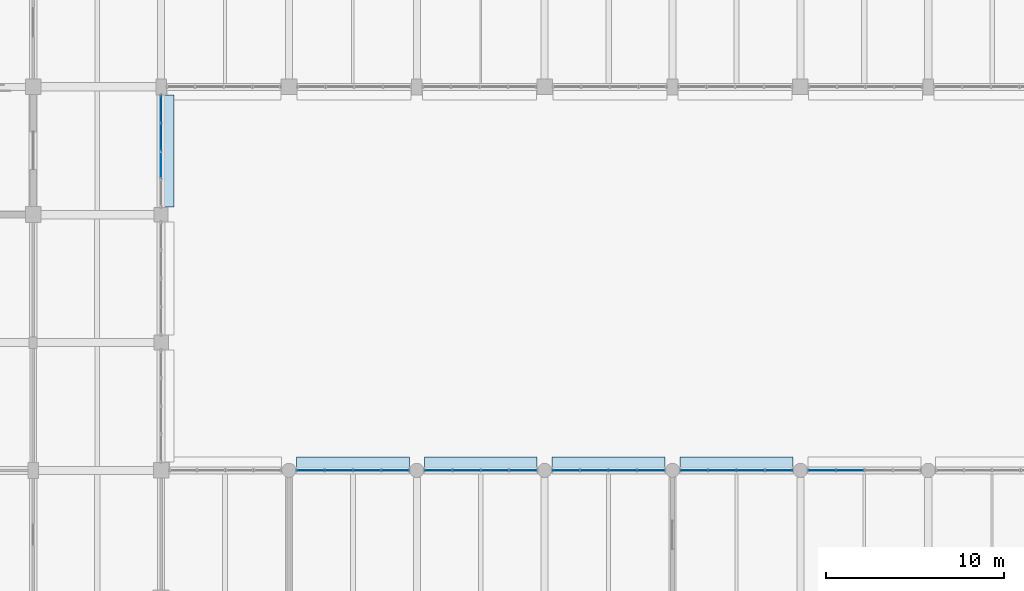
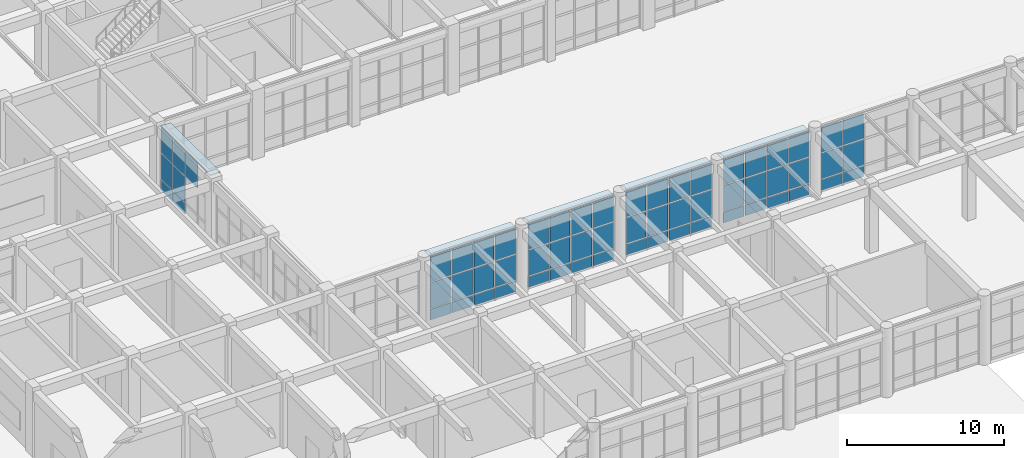
# One storey, part 122 of 160: 66 plates, 6 elements without a shape of their own.
"""IFC4 building model written with IfcOpenShell, lengths in metres."""

from ifc_helpers import new_model, si_unit, direction, frame, origin, origin_2d, place, context, subcontext, project, spatial, rectangle, extrude, material, layer, layer_set, type_object, element, aggregate, save


model = new_model("IFC4")

# Units and contexts
model_context = context("Model", 3, precision=1e-05, world=origin(), true_north=direction((0.0, 1.0)))
body_context = subcontext(model_context, "Body", "Model", "MODEL_VIEW")
ifc_project = project(units=[si_unit("LENGTHUNIT", "METRE"), si_unit("AREAUNIT", "SQUARE_METRE"), si_unit("VOLUMEUNIT", "CUBIC_METRE"), si_unit("PLANEANGLEUNIT", "RADIAN"), si_unit("MASSUNIT", "GRAM", prefix="KILO")], contexts=[model_context])

# Site, building, storey
site_placement = place(None, origin())
site = spatial("IfcSite", under=ifc_project, at=site_placement, CompositionType="ELEMENT")
building_placement = place(site_placement, origin())
building = spatial("IfcBuilding", under=site, at=building_placement, Name="Thalmaran Polytechnic", CompositionType="ELEMENT")
storey_placement = place(building_placement, origin())
storey = spatial("IfcBuildingStorey", under=building, at=storey_placement, Name="L00", CompositionType="ELEMENT", Elevation=0.0)

# Plates
ifc_material_1 = material(Name="Anodised aluminium sun-hood eyebrow", Category="aluminium")
ifc_layer_1 = layer(ifc_material_1, 0.0849609375, Name="Anodised aluminium sun-hood eyebrow")
ifc_layer_set_1 = layer_set([ifc_layer_1], Name="Anodised aluminium sun-hood eyebrow")
plate_type_1 = type_object("IfcPlateType", Name="PT-EB01", PredefinedType="SHEET", material=ifc_layer_set_1)
plate_1_placement = place(storey_placement, frame((21.9599609375, 89.97509765625, 4.987548828125), z_axis=(0.0, 0.0, 1.0), x_axis=(0.0, -1.0, 0.0)))
element("IfcPlate", 1, at=plate_1_placement, inside=storey, type_object=plate_type_1, Name="Streamline Sun-Hood Eyebrow L00-CW023", PredefinedType="SHEET", context=body_context, shape_type="SweptSolid", body=[
    extrude(rectangle(XDim=6.31005859375, YDim=0.760009765625, at=origin_2d()), origin(), (0.0, 0.0, 1.0), 0.0849609375),
])
for number, where, z_axis, x_axis, name in (
    (2, (32.39990234375, 72.360107421875, 4.987548828125), (0.0, 0.0, 1.0), (1.0, 0.0, 0.0), "Streamline Sun-Hood Eyebrow L00-CW027"),
    (3, (39.60009765625, 72.360107421875, 4.987548828125), (0.0, 0.0, 1.0), (1.0, 0.0, 0.0), "Streamline Sun-Hood Eyebrow L00-CW028"),
    (4, (46.800048828125, 72.360107421875, 4.987548828125), (0.0, 0.0, 1.0), (1.0, 0.0, 0.0), "Streamline Sun-Hood Eyebrow L00-CW029"),
    (5, (54.0, 72.360107421875, 4.987548828125), (0.0, 0.0, 1.0), (1.0, 0.0, 0.0), "Streamline Sun-Hood Eyebrow L00-CW030"),
):
    element("IfcPlate", number, at=place(storey_placement, frame(where, z_axis=z_axis, x_axis=x_axis)), inside=storey, type_object=plate_type_1, Name=name, PredefinedType="SHEET", context=body_context, shape_type="SweptSolid", body=[
        extrude(rectangle(XDim=6.360107421875, YDim=0.760009765625, at=origin_2d()), origin(), (0.0, 0.0, 1.0), 0.0849609375),
    ])

# Curtain wall, plates
ifc_material_2 = material(Name="Aluminium 6063-T6", Category="aluminium")
curtain_wall_type_1 = type_object("IfcCurtainWallType", Name="CW-SC01", PredefinedType="USERDEFINED", material=ifc_material_2)
curtain_wall_1_placement = place(storey_placement, origin())
curtain_wall_1 = element("IfcCurtainWall", 6, at=curtain_wall_1_placement, inside=storey, type_object=curtain_wall_type_1, Name="Curtain Wall CW-L00-030", ObjectType="STICK CURTAIN WALL", PredefinedType="USERDEFINED")
ifc_material_3 = material(Name="Solar-control double low-E glass", Category="glass")
ifc_layer_2 = layer(ifc_material_3, 0.035888671875, Name="Solar-control double low-E glass")
ifc_layer_set_2 = layer_set([ifc_layer_2], Name="Solar-control double low-E glass")
plate_type_2 = type_object("IfcPlateType", Name="PT-GL01", PredefinedType="CURTAIN_PANEL", material=ifc_layer_set_2)
plate_2_placement = place(storey_placement, frame((51.60009765625, 72.0, 1.0), z_axis=(0.0, 0.0, 1.0), x_axis=(1.0, 0.0, 0.0)))
plate_2 = element("IfcPlate", 7, at=plate_2_placement, type_object=plate_type_2, Name="CW-L00-030 Vision Panel 1-2", PredefinedType="CURTAIN_PANEL", context=body_context, shape_type="SweptSolid", body=[
    extrude(rectangle(XDim=1.5, YDim=0.035888671875, at=origin_2d()), origin(), (0.0, 0.0, 1.0), 1.985107421875),
])
plate_3_placement = place(storey_placement, frame((51.60009765625, 72.0, 3.06494140625), z_axis=(0.0, 0.0, 1.0), x_axis=(1.0, 0.0, 0.0)))
plate_3 = element("IfcPlate", 8, at=plate_3_placement, type_object=plate_type_2, Name="CW-L00-030 Vision Panel 1-3", PredefinedType="CURTAIN_PANEL", context=body_context, shape_type="SweptSolid", body=[
    extrude(rectangle(XDim=1.5, YDim=0.035888671875, at=origin_2d()), origin(), (0.0, 0.0, 1.0), 1.925048828125),
])
plate_4_placement = place(storey_placement, frame((53.199951171875, 72.0, 1.0), z_axis=(0.0, 0.0, 1.0), x_axis=(1.0, 0.0, 0.0)))
plate_4 = element("IfcPlate", 9, at=plate_4_placement, type_object=plate_type_2, Name="CW-L00-030 Vision Panel 2-2", PredefinedType="CURTAIN_PANEL", context=body_context, shape_type="SweptSolid", body=[
    extrude(rectangle(XDim=1.5, YDim=0.035888671875, at=origin_2d()), origin(), (0.0, 0.0, 1.0), 1.985107421875),
])
plate_5_placement = place(storey_placement, frame((53.199951171875, 72.0, 3.06494140625), z_axis=(0.0, 0.0, 1.0), x_axis=(1.0, 0.0, 0.0)))
plate_5 = element("IfcPlate", 10, at=plate_5_placement, type_object=plate_type_2, Name="CW-L00-030 Vision Panel 2-3", PredefinedType="CURTAIN_PANEL", context=body_context, shape_type="SweptSolid", body=[
    extrude(rectangle(XDim=1.5, YDim=0.035888671875, at=origin_2d()), origin(), (0.0, 0.0, 1.0), 1.925048828125),
])
plate_6_placement = place(storey_placement, frame((54.800048828125, 72.0, 1.0), z_axis=(0.0, 0.0, 1.0), x_axis=(1.0, 0.0, 0.0)))
plate_6 = element("IfcPlate", 11, at=plate_6_placement, type_object=plate_type_2, Name="CW-L00-030 Vision Panel 3-2", PredefinedType="CURTAIN_PANEL", context=body_context, shape_type="SweptSolid", body=[
    extrude(rectangle(XDim=1.5, YDim=0.035888671875, at=origin_2d()), origin(), (0.0, 0.0, 1.0), 1.985107421875),
])
plate_7_placement = place(storey_placement, frame((54.800048828125, 72.0, 3.06494140625), z_axis=(0.0, 0.0, 1.0), x_axis=(1.0, 0.0, 0.0)))
plate_7 = element("IfcPlate", 12, at=plate_7_placement, type_object=plate_type_2, Name="CW-L00-030 Vision Panel 3-3", PredefinedType="CURTAIN_PANEL", context=body_context, shape_type="SweptSolid", body=[
    extrude(rectangle(XDim=1.5, YDim=0.035888671875, at=origin_2d()), origin(), (0.0, 0.0, 1.0), 1.925048828125),
])
plate_8_placement = place(storey_placement, frame((56.39990234375, 72.0, 1.0), z_axis=(0.0, 0.0, 1.0), x_axis=(1.0, 0.0, 0.0)))
plate_8 = element("IfcPlate", 13, at=plate_8_placement, type_object=plate_type_2, Name="CW-L00-030 Vision Panel 4-2", PredefinedType="CURTAIN_PANEL", context=body_context, shape_type="SweptSolid", body=[
    extrude(rectangle(XDim=1.5, YDim=0.035888671875, at=origin_2d()), origin(), (0.0, 0.0, 1.0), 1.985107421875),
])
plate_9_placement = place(storey_placement, frame((56.39990234375, 72.0, 3.06494140625), z_axis=(0.0, 0.0, 1.0), x_axis=(1.0, 0.0, 0.0)))
plate_9 = element("IfcPlate", 14, at=plate_9_placement, type_object=plate_type_2, Name="CW-L00-030 Vision Panel 4-3", PredefinedType="CURTAIN_PANEL", context=body_context, shape_type="SweptSolid", body=[
    extrude(rectangle(XDim=1.5, YDim=0.035888671875, at=origin_2d()), origin(), (0.0, 0.0, 1.0), 1.925048828125),
])

curtain_wall_2_placement = place(storey_placement, origin())
curtain_wall_2 = element("IfcCurtainWall", 15, at=curtain_wall_2_placement, inside=storey, type_object=curtain_wall_type_1, Name="Curtain Wall CW-L00-031", ObjectType="STICK CURTAIN WALL", PredefinedType="USERDEFINED")
ifc_layer_3 = layer(ifc_material_3, 0.035888671875, Name="Solar-control double low-E glass")
ifc_layer_set_3 = layer_set([ifc_layer_3], Name="Solar-control double low-E glass")
plate_type_3 = type_object("IfcPlateType", Name="PT-GL02", PredefinedType="CURTAIN_PANEL", material=ifc_layer_set_3)
plate_10_placement = place(storey_placement, frame((58.800048828125, 72.0, 1.0), z_axis=(0.0, 0.0, 1.0), x_axis=(1.0, 0.0, 0.0)))
plate_10 = element("IfcPlate", 16, at=plate_10_placement, type_object=plate_type_3, Name="CW-L00-031 Vision Panel 1-2", PredefinedType="CURTAIN_PANEL", context=body_context, shape_type="SweptSolid", body=[
    extrude(rectangle(XDim=1.5, YDim=0.035888671875, at=origin_2d()), origin(), (0.0, 0.0, 1.0), 1.985107421875),
])
plate_11_placement = place(storey_placement, frame((58.800048828125, 72.0, 3.06494140625), z_axis=(0.0, 0.0, 1.0), x_axis=(1.0, 0.0, 0.0)))
plate_11 = element("IfcPlate", 17, at=plate_11_placement, type_object=plate_type_3, Name="CW-L00-031 Vision Panel 1-3", PredefinedType="CURTAIN_PANEL", context=body_context, shape_type="SweptSolid", body=[
    extrude(rectangle(XDim=1.5, YDim=0.035888671875, at=origin_2d()), origin(), (0.0, 0.0, 1.0), 1.925048828125),
])
plate_12_placement = place(storey_placement, frame((60.39990234375, 72.0, 1.0), z_axis=(0.0, 0.0, 1.0), x_axis=(1.0, 0.0, 0.0)))
plate_12 = element("IfcPlate", 18, at=plate_12_placement, type_object=plate_type_3, Name="CW-L00-031 Vision Panel 2-2", PredefinedType="CURTAIN_PANEL", context=body_context, shape_type="SweptSolid", body=[
    extrude(rectangle(XDim=1.5, YDim=0.035888671875, at=origin_2d()), origin(), (0.0, 0.0, 1.0), 1.985107421875),
])
plate_13_placement = place(storey_placement, frame((60.39990234375, 72.0, 3.06494140625), z_axis=(0.0, 0.0, 1.0), x_axis=(1.0, 0.0, 0.0)))
plate_13 = element("IfcPlate", 19, at=plate_13_placement, type_object=plate_type_3, Name="CW-L00-031 Vision Panel 2-3", PredefinedType="CURTAIN_PANEL", context=body_context, shape_type="SweptSolid", body=[
    extrude(rectangle(XDim=1.5, YDim=0.035888671875, at=origin_2d()), origin(), (0.0, 0.0, 1.0), 1.925048828125),
])

curtain_wall_3_placement = place(storey_placement, origin())
curtain_wall_3 = element("IfcCurtainWall", 20, at=curtain_wall_3_placement, inside=storey, type_object=curtain_wall_type_1, Name="Curtain Wall CW-L00-027", ObjectType="STICK CURTAIN WALL", PredefinedType="USERDEFINED")
ifc_layer_4 = layer(ifc_material_3, 0.035888671875, Name="Solar-control double low-E glass")
ifc_layer_set_4 = layer_set([ifc_layer_4], Name="Solar-control double low-E glass")
plate_type_4 = type_object("IfcPlateType", Name="PT-GL03", PredefinedType="CURTAIN_PANEL", material=ifc_layer_set_4)
plate_14_placement = place(storey_placement, frame((30.0, 72.0, 1.0), z_axis=(0.0, 0.0, 1.0), x_axis=(1.0, 0.0, 0.0)))
plate_14 = element("IfcPlate", 21, at=plate_14_placement, type_object=plate_type_4, Name="CW-L00-027 Vision Panel 1-2", PredefinedType="CURTAIN_PANEL", context=body_context, shape_type="SweptSolid", body=[
    extrude(rectangle(XDim=1.5, YDim=0.035888671875, at=origin_2d()), origin(), (0.0, 0.0, 1.0), 1.985107421875),
])
plate_15_placement = place(storey_placement, frame((30.0, 72.0, 3.06494140625), z_axis=(0.0, 0.0, 1.0), x_axis=(1.0, 0.0, 0.0)))
plate_15 = element("IfcPlate", 22, at=plate_15_placement, type_object=plate_type_4, Name="CW-L00-027 Vision Panel 1-3", PredefinedType="CURTAIN_PANEL", context=body_context, shape_type="SweptSolid", body=[
    extrude(rectangle(XDim=1.5, YDim=0.035888671875, at=origin_2d()), origin(), (0.0, 0.0, 1.0), 1.925048828125),
])
plate_16_placement = place(storey_placement, frame((31.60009765625, 72.0, 1.0), z_axis=(0.0, 0.0, 1.0), x_axis=(1.0, 0.0, 0.0)))
plate_16 = element("IfcPlate", 23, at=plate_16_placement, type_object=plate_type_4, Name="CW-L00-027 Vision Panel 2-2", PredefinedType="CURTAIN_PANEL", context=body_context, shape_type="SweptSolid", body=[
    extrude(rectangle(XDim=1.5, YDim=0.035888671875, at=origin_2d()), origin(), (0.0, 0.0, 1.0), 1.985107421875),
])
plate_17_placement = place(storey_placement, frame((31.60009765625, 72.0, 3.06494140625), z_axis=(0.0, 0.0, 1.0), x_axis=(1.0, 0.0, 0.0)))
plate_17 = element("IfcPlate", 24, at=plate_17_placement, type_object=plate_type_4, Name="CW-L00-027 Vision Panel 2-3", PredefinedType="CURTAIN_PANEL", context=body_context, shape_type="SweptSolid", body=[
    extrude(rectangle(XDim=1.5, YDim=0.035888671875, at=origin_2d()), origin(), (0.0, 0.0, 1.0), 1.925048828125),
])
plate_18_placement = place(storey_placement, frame((33.199951171875, 72.0, 1.0), z_axis=(0.0, 0.0, 1.0), x_axis=(1.0, 0.0, 0.0)))
plate_18 = element("IfcPlate", 25, at=plate_18_placement, type_object=plate_type_4, Name="CW-L00-027 Vision Panel 3-2", PredefinedType="CURTAIN_PANEL", context=body_context, shape_type="SweptSolid", body=[
    extrude(rectangle(XDim=1.5, YDim=0.035888671875, at=origin_2d()), origin(), (0.0, 0.0, 1.0), 1.985107421875),
])
plate_19_placement = place(storey_placement, frame((33.199951171875, 72.0, 3.06494140625), z_axis=(0.0, 0.0, 1.0), x_axis=(1.0, 0.0, 0.0)))
plate_19 = element("IfcPlate", 26, at=plate_19_placement, type_object=plate_type_4, Name="CW-L00-027 Vision Panel 3-3", PredefinedType="CURTAIN_PANEL", context=body_context, shape_type="SweptSolid", body=[
    extrude(rectangle(XDim=1.5, YDim=0.035888671875, at=origin_2d()), origin(), (0.0, 0.0, 1.0), 1.925048828125),
])
plate_20_placement = place(storey_placement, frame((34.800048828125, 72.0, 1.0), z_axis=(0.0, 0.0, 1.0), x_axis=(1.0, 0.0, 0.0)))
plate_20 = element("IfcPlate", 27, at=plate_20_placement, type_object=plate_type_4, Name="CW-L00-027 Vision Panel 4-2", PredefinedType="CURTAIN_PANEL", context=body_context, shape_type="SweptSolid", body=[
    extrude(rectangle(XDim=1.5, YDim=0.035888671875, at=origin_2d()), origin(), (0.0, 0.0, 1.0), 1.985107421875),
])
plate_21_placement = place(storey_placement, frame((34.800048828125, 72.0, 3.06494140625), z_axis=(0.0, 0.0, 1.0), x_axis=(1.0, 0.0, 0.0)))
plate_21 = element("IfcPlate", 28, at=plate_21_placement, type_object=plate_type_4, Name="CW-L00-027 Vision Panel 4-3", PredefinedType="CURTAIN_PANEL", context=body_context, shape_type="SweptSolid", body=[
    extrude(rectangle(XDim=1.5, YDim=0.035888671875, at=origin_2d()), origin(), (0.0, 0.0, 1.0), 1.925048828125),
])

curtain_wall_type_2 = type_object("IfcCurtainWallType", Name="CW-UC01", PredefinedType="USERDEFINED", material=ifc_material_2)
curtain_wall_4_placement = place(storey_placement, origin())
curtain_wall_4 = element("IfcCurtainWall", 29, at=curtain_wall_4_placement, inside=storey, type_object=curtain_wall_type_2, Name="Curtain Wall CW-L00-023", ObjectType="UNITISED CURTAIN WALL", PredefinedType="USERDEFINED")
ifc_layer_5 = layer(ifc_material_3, 0.035888671875, Name="Solar-control double low-E glass")
ifc_layer_set_5 = layer_set([ifc_layer_5], Name="Solar-control double low-E glass")
plate_type_5 = type_object("IfcPlateType", Name="PT-GL04", PredefinedType="CURTAIN_PANEL", material=ifc_layer_set_5)
plate_22_placement = place(storey_placement, frame((21.60009765625, 92.356201171875, 1.0), z_axis=(0.0, 0.0, 1.0), x_axis=(0.0, -1.0, 0.0)))
plate_22 = element("IfcPlate", 30, at=plate_22_placement, type_object=plate_type_5, Name="CW-L00-023 Vision Panel 1-2", PredefinedType="CURTAIN_PANEL", context=body_context, shape_type="SweptSolid", body=[
    extrude(rectangle(XDim=1.487548828125, YDim=0.035888671875, at=origin_2d()), origin(), (0.0, 0.0, 1.0), 1.985107421875),
])
plate_23_placement = place(storey_placement, frame((21.60009765625, 92.356201171875, 3.06494140625), z_axis=(0.0, 0.0, 1.0), x_axis=(0.0, -1.0, 0.0)))
plate_23 = element("IfcPlate", 31, at=plate_23_placement, type_object=plate_type_5, Name="CW-L00-023 Vision Panel 1-3", PredefinedType="CURTAIN_PANEL", context=body_context, shape_type="SweptSolid", body=[
    extrude(rectangle(XDim=1.487548828125, YDim=0.035888671875, at=origin_2d()), origin(), (0.0, 0.0, 1.0), 1.925048828125),
])
plate_24_placement = place(storey_placement, frame((21.60009765625, 90.768798828125, 1.0), z_axis=(0.0, 0.0, 1.0), x_axis=(0.0, -1.0, 0.0)))
plate_24 = element("IfcPlate", 32, at=plate_24_placement, type_object=plate_type_5, Name="CW-L00-023 Vision Panel 2-2", PredefinedType="CURTAIN_PANEL", context=body_context, shape_type="SweptSolid", body=[
    extrude(rectangle(XDim=1.487548828125, YDim=0.035888671875, at=origin_2d()), origin(), (0.0, 0.0, 1.0), 1.985107421875),
])
plate_25_placement = place(storey_placement, frame((21.60009765625, 90.768798828125, 3.06494140625), z_axis=(0.0, 0.0, 1.0), x_axis=(0.0, -1.0, 0.0)))
plate_25 = element("IfcPlate", 33, at=plate_25_placement, type_object=plate_type_5, Name="CW-L00-023 Vision Panel 2-3", PredefinedType="CURTAIN_PANEL", context=body_context, shape_type="SweptSolid", body=[
    extrude(rectangle(XDim=1.487548828125, YDim=0.035888671875, at=origin_2d()), origin(), (0.0, 0.0, 1.0), 1.925048828125),
])
plate_26_placement = place(storey_placement, frame((21.60009765625, 89.18115234375, 3.06494140625), z_axis=(0.0, 0.0, 1.0), x_axis=(0.0, -1.0, 0.0)))
plate_26 = element("IfcPlate", 34, at=plate_26_placement, type_object=plate_type_5, Name="CW-L00-023 Vision Panel 3-3", PredefinedType="CURTAIN_PANEL", context=body_context, shape_type="SweptSolid", body=[
    extrude(rectangle(XDim=1.487548828125, YDim=0.035888671875, at=origin_2d()), origin(), (0.0, 0.0, 1.0), 1.925048828125),
])

curtain_wall_5_placement = place(storey_placement, origin())
curtain_wall_5 = element("IfcCurtainWall", 35, at=curtain_wall_5_placement, inside=storey, type_object=curtain_wall_type_1, Name="Curtain Wall CW-L00-028", ObjectType="STICK CURTAIN WALL", PredefinedType="USERDEFINED")
plate_27_placement = place(storey_placement, frame((37.199951171875, 72.0, 1.0), z_axis=(0.0, 0.0, 1.0), x_axis=(1.0, 0.0, 0.0)))
plate_27 = element("IfcPlate", 36, at=plate_27_placement, type_object=plate_type_5, Name="CW-L00-028 Vision Panel 1-2", PredefinedType="CURTAIN_PANEL", context=body_context, shape_type="SweptSolid", body=[
    extrude(rectangle(XDim=1.5, YDim=0.035888671875, at=origin_2d()), origin(), (0.0, 0.0, 1.0), 1.985107421875),
])
plate_28_placement = place(storey_placement, frame((37.199951171875, 72.0, 3.06494140625), z_axis=(0.0, 0.0, 1.0), x_axis=(1.0, 0.0, 0.0)))
plate_28 = element("IfcPlate", 37, at=plate_28_placement, type_object=plate_type_5, Name="CW-L00-028 Vision Panel 1-3", PredefinedType="CURTAIN_PANEL", context=body_context, shape_type="SweptSolid", body=[
    extrude(rectangle(XDim=1.5, YDim=0.035888671875, at=origin_2d()), origin(), (0.0, 0.0, 1.0), 1.925048828125),
])
plate_29_placement = place(storey_placement, frame((38.800048828125, 72.0, 1.0), z_axis=(0.0, 0.0, 1.0), x_axis=(1.0, 0.0, 0.0)))
plate_29 = element("IfcPlate", 38, at=plate_29_placement, type_object=plate_type_5, Name="CW-L00-028 Vision Panel 2-2", PredefinedType="CURTAIN_PANEL", context=body_context, shape_type="SweptSolid", body=[
    extrude(rectangle(XDim=1.5, YDim=0.035888671875, at=origin_2d()), origin(), (0.0, 0.0, 1.0), 1.985107421875),
])
plate_30_placement = place(storey_placement, frame((38.800048828125, 72.0, 3.06494140625), z_axis=(0.0, 0.0, 1.0), x_axis=(1.0, 0.0, 0.0)))
plate_30 = element("IfcPlate", 39, at=plate_30_placement, type_object=plate_type_5, Name="CW-L00-028 Vision Panel 2-3", PredefinedType="CURTAIN_PANEL", context=body_context, shape_type="SweptSolid", body=[
    extrude(rectangle(XDim=1.5, YDim=0.035888671875, at=origin_2d()), origin(), (0.0, 0.0, 1.0), 1.925048828125),
])
plate_31_placement = place(storey_placement, frame((40.39990234375, 72.0, 1.0), z_axis=(0.0, 0.0, 1.0), x_axis=(1.0, 0.0, 0.0)))
plate_31 = element("IfcPlate", 40, at=plate_31_placement, type_object=plate_type_5, Name="CW-L00-028 Vision Panel 3-2", PredefinedType="CURTAIN_PANEL", context=body_context, shape_type="SweptSolid", body=[
    extrude(rectangle(XDim=1.5, YDim=0.035888671875, at=origin_2d()), origin(), (0.0, 0.0, 1.0), 1.985107421875),
])
plate_32_placement = place(storey_placement, frame((40.39990234375, 72.0, 3.06494140625), z_axis=(0.0, 0.0, 1.0), x_axis=(1.0, 0.0, 0.0)))
plate_32 = element("IfcPlate", 41, at=plate_32_placement, type_object=plate_type_5, Name="CW-L00-028 Vision Panel 3-3", PredefinedType="CURTAIN_PANEL", context=body_context, shape_type="SweptSolid", body=[
    extrude(rectangle(XDim=1.5, YDim=0.035888671875, at=origin_2d()), origin(), (0.0, 0.0, 1.0), 1.925048828125),
])
plate_33_placement = place(storey_placement, frame((42.0, 72.0, 1.0), z_axis=(0.0, 0.0, 1.0), x_axis=(1.0, 0.0, 0.0)))
plate_33 = element("IfcPlate", 42, at=plate_33_placement, type_object=plate_type_5, Name="CW-L00-028 Vision Panel 4-2", PredefinedType="CURTAIN_PANEL", context=body_context, shape_type="SweptSolid", body=[
    extrude(rectangle(XDim=1.5, YDim=0.035888671875, at=origin_2d()), origin(), (0.0, 0.0, 1.0), 1.985107421875),
])
plate_34_placement = place(storey_placement, frame((42.0, 72.0, 3.06494140625), z_axis=(0.0, 0.0, 1.0), x_axis=(1.0, 0.0, 0.0)))
plate_34 = element("IfcPlate", 43, at=plate_34_placement, type_object=plate_type_5, Name="CW-L00-028 Vision Panel 4-3", PredefinedType="CURTAIN_PANEL", context=body_context, shape_type="SweptSolid", body=[
    extrude(rectangle(XDim=1.5, YDim=0.035888671875, at=origin_2d()), origin(), (0.0, 0.0, 1.0), 1.925048828125),
])

curtain_wall_6_placement = place(storey_placement, origin())
curtain_wall_6 = element("IfcCurtainWall", 44, at=curtain_wall_6_placement, inside=storey, type_object=curtain_wall_type_1, Name="Curtain Wall CW-L00-029", ObjectType="STICK CURTAIN WALL", PredefinedType="USERDEFINED")
ifc_layer_6 = layer(ifc_material_3, 0.035888671875, Name="Solar-control double low-E glass")
ifc_layer_set_6 = layer_set([ifc_layer_6], Name="Solar-control double low-E glass")
plate_type_6 = type_object("IfcPlateType", Name="PT-GL05", PredefinedType="CURTAIN_PANEL", material=ifc_layer_set_6)
plate_35_placement = place(storey_placement, frame((44.39990234375, 72.0, 1.0), z_axis=(0.0, 0.0, 1.0), x_axis=(1.0, 0.0, 0.0)))
plate_35 = element("IfcPlate", 45, at=plate_35_placement, type_object=plate_type_6, Name="CW-L00-029 Vision Panel 1-2", PredefinedType="CURTAIN_PANEL", context=body_context, shape_type="SweptSolid", body=[
    extrude(rectangle(XDim=1.5, YDim=0.035888671875, at=origin_2d()), origin(), (0.0, 0.0, 1.0), 1.985107421875),
])
plate_36_placement = place(storey_placement, frame((44.39990234375, 72.0, 3.06494140625), z_axis=(0.0, 0.0, 1.0), x_axis=(1.0, 0.0, 0.0)))
plate_36 = element("IfcPlate", 46, at=plate_36_placement, type_object=plate_type_6, Name="CW-L00-029 Vision Panel 1-3", PredefinedType="CURTAIN_PANEL", context=body_context, shape_type="SweptSolid", body=[
    extrude(rectangle(XDim=1.5, YDim=0.035888671875, at=origin_2d()), origin(), (0.0, 0.0, 1.0), 1.925048828125),
])
plate_37_placement = place(storey_placement, frame((46.0, 72.0, 1.0), z_axis=(0.0, 0.0, 1.0), x_axis=(1.0, 0.0, 0.0)))
plate_37 = element("IfcPlate", 47, at=plate_37_placement, type_object=plate_type_6, Name="CW-L00-029 Vision Panel 2-2", PredefinedType="CURTAIN_PANEL", context=body_context, shape_type="SweptSolid", body=[
    extrude(rectangle(XDim=1.5, YDim=0.035888671875, at=origin_2d()), origin(), (0.0, 0.0, 1.0), 1.985107421875),
])
plate_38_placement = place(storey_placement, frame((46.0, 72.0, 3.06494140625), z_axis=(0.0, 0.0, 1.0), x_axis=(1.0, 0.0, 0.0)))
plate_38 = element("IfcPlate", 48, at=plate_38_placement, type_object=plate_type_6, Name="CW-L00-029 Vision Panel 2-3", PredefinedType="CURTAIN_PANEL", context=body_context, shape_type="SweptSolid", body=[
    extrude(rectangle(XDim=1.5, YDim=0.035888671875, at=origin_2d()), origin(), (0.0, 0.0, 1.0), 1.925048828125),
])
plate_39_placement = place(storey_placement, frame((47.60009765625, 72.0, 1.0), z_axis=(0.0, 0.0, 1.0), x_axis=(1.0, 0.0, 0.0)))
plate_39 = element("IfcPlate", 49, at=plate_39_placement, type_object=plate_type_6, Name="CW-L00-029 Vision Panel 3-2", PredefinedType="CURTAIN_PANEL", context=body_context, shape_type="SweptSolid", body=[
    extrude(rectangle(XDim=1.5, YDim=0.035888671875, at=origin_2d()), origin(), (0.0, 0.0, 1.0), 1.985107421875),
])
plate_40_placement = place(storey_placement, frame((47.60009765625, 72.0, 3.06494140625), z_axis=(0.0, 0.0, 1.0), x_axis=(1.0, 0.0, 0.0)))
plate_40 = element("IfcPlate", 50, at=plate_40_placement, type_object=plate_type_6, Name="CW-L00-029 Vision Panel 3-3", PredefinedType="CURTAIN_PANEL", context=body_context, shape_type="SweptSolid", body=[
    extrude(rectangle(XDim=1.5, YDim=0.035888671875, at=origin_2d()), origin(), (0.0, 0.0, 1.0), 1.925048828125),
])
plate_41_placement = place(storey_placement, frame((49.199951171875, 72.0, 1.0), z_axis=(0.0, 0.0, 1.0), x_axis=(1.0, 0.0, 0.0)))
plate_41 = element("IfcPlate", 51, at=plate_41_placement, type_object=plate_type_6, Name="CW-L00-029 Vision Panel 4-2", PredefinedType="CURTAIN_PANEL", context=body_context, shape_type="SweptSolid", body=[
    extrude(rectangle(XDim=1.5, YDim=0.035888671875, at=origin_2d()), origin(), (0.0, 0.0, 1.0), 1.985107421875),
])
plate_42_placement = place(storey_placement, frame((49.199951171875, 72.0, 3.06494140625), z_axis=(0.0, 0.0, 1.0), x_axis=(1.0, 0.0, 0.0)))
plate_42 = element("IfcPlate", 52, at=plate_42_placement, type_object=plate_type_6, Name="CW-L00-029 Vision Panel 4-3", PredefinedType="CURTAIN_PANEL", context=body_context, shape_type="SweptSolid", body=[
    extrude(rectangle(XDim=1.5, YDim=0.035888671875, at=origin_2d()), origin(), (0.0, 0.0, 1.0), 1.925048828125),
])

# Plate
ifc_material_4 = material(Name="Insulated anodised aluminium spandrel", Category="aluminium")
ifc_layer_7 = layer(ifc_material_4, 0.06005859375, Name="Insulated anodised aluminium spandrel")
ifc_layer_set_7 = layer_set([ifc_layer_7], Name="Insulated anodised aluminium spandrel")
plate_type_7 = type_object("IfcPlateType", Name="PT-SP01", PredefinedType="CURTAIN_PANEL", material=ifc_layer_set_7)
plate_43_placement = place(storey_placement, frame((30.0, 72.0, 0.10009765625), z_axis=(0.0, 0.0, 1.0), x_axis=(1.0, 0.0, 0.0)))
plate_43 = element("IfcPlate", 53, at=plate_43_placement, type_object=plate_type_7, Name="CW-L00-027 Spandrel Panel 1-1", PredefinedType="CURTAIN_PANEL", context=body_context, shape_type="SweptSolid", body=[
    extrude(rectangle(XDim=1.5, YDim=0.06005859375, at=origin_2d()), origin(), (0.0, 0.0, 1.0), 0.820068359375),
])

plate_44_placement = place(storey_placement, frame((31.60009765625, 72.0, 0.10009765625), z_axis=(0.0, 0.0, 1.0), x_axis=(1.0, 0.0, 0.0)))
plate_44 = element("IfcPlate", 54, at=plate_44_placement, type_object=plate_type_7, Name="CW-L00-027 Spandrel Panel 2-1", PredefinedType="CURTAIN_PANEL", context=body_context, shape_type="SweptSolid", body=[
    extrude(rectangle(XDim=1.5, YDim=0.06005859375, at=origin_2d()), origin(), (0.0, 0.0, 1.0), 0.820068359375),
])

plate_45_placement = place(storey_placement, frame((33.199951171875, 72.0, 0.10009765625), z_axis=(0.0, 0.0, 1.0), x_axis=(1.0, 0.0, 0.0)))
plate_45 = element("IfcPlate", 55, at=plate_45_placement, type_object=plate_type_7, Name="CW-L00-027 Spandrel Panel 3-1", PredefinedType="CURTAIN_PANEL", context=body_context, shape_type="SweptSolid", body=[
    extrude(rectangle(XDim=1.5, YDim=0.06005859375, at=origin_2d()), origin(), (0.0, 0.0, 1.0), 0.820068359375),
])

plate_46_placement = place(storey_placement, frame((34.800048828125, 72.0, 0.10009765625), z_axis=(0.0, 0.0, 1.0), x_axis=(1.0, 0.0, 0.0)))
plate_46 = element("IfcPlate", 56, at=plate_46_placement, type_object=plate_type_7, Name="CW-L00-027 Spandrel Panel 4-1", PredefinedType="CURTAIN_PANEL", context=body_context, shape_type="SweptSolid", body=[
    extrude(rectangle(XDim=1.5, YDim=0.06005859375, at=origin_2d()), origin(), (0.0, 0.0, 1.0), 0.820068359375),
])

aggregate(curtain_wall_3, [plate_43, plate_14, plate_15, plate_44, plate_16, plate_17, plate_45, plate_18, plate_19, plate_46, plate_20, plate_21])

plate_47_placement = place(storey_placement, frame((51.60009765625, 72.0, 0.10009765625), z_axis=(0.0, 0.0, 1.0), x_axis=(1.0, 0.0, 0.0)))
plate_47 = element("IfcPlate", 57, at=plate_47_placement, type_object=plate_type_7, Name="CW-L00-030 Spandrel Panel 1-1", PredefinedType="CURTAIN_PANEL", context=body_context, shape_type="SweptSolid", body=[
    extrude(rectangle(XDim=1.5, YDim=0.06005859375, at=origin_2d()), origin(), (0.0, 0.0, 1.0), 0.820068359375),
])

plate_48_placement = place(storey_placement, frame((53.199951171875, 72.0, 0.10009765625), z_axis=(0.0, 0.0, 1.0), x_axis=(1.0, 0.0, 0.0)))
plate_48 = element("IfcPlate", 58, at=plate_48_placement, type_object=plate_type_7, Name="CW-L00-030 Spandrel Panel 2-1", PredefinedType="CURTAIN_PANEL", context=body_context, shape_type="SweptSolid", body=[
    extrude(rectangle(XDim=1.5, YDim=0.06005859375, at=origin_2d()), origin(), (0.0, 0.0, 1.0), 0.820068359375),
])

plate_49_placement = place(storey_placement, frame((54.800048828125, 72.0, 0.10009765625), z_axis=(0.0, 0.0, 1.0), x_axis=(1.0, 0.0, 0.0)))
plate_49 = element("IfcPlate", 59, at=plate_49_placement, type_object=plate_type_7, Name="CW-L00-030 Spandrel Panel 3-1", PredefinedType="CURTAIN_PANEL", context=body_context, shape_type="SweptSolid", body=[
    extrude(rectangle(XDim=1.5, YDim=0.06005859375, at=origin_2d()), origin(), (0.0, 0.0, 1.0), 0.820068359375),
])

plate_50_placement = place(storey_placement, frame((56.39990234375, 72.0, 0.10009765625), z_axis=(0.0, 0.0, 1.0), x_axis=(1.0, 0.0, 0.0)))
plate_50 = element("IfcPlate", 60, at=plate_50_placement, type_object=plate_type_7, Name="CW-L00-030 Spandrel Panel 4-1", PredefinedType="CURTAIN_PANEL", context=body_context, shape_type="SweptSolid", body=[
    extrude(rectangle(XDim=1.5, YDim=0.06005859375, at=origin_2d()), origin(), (0.0, 0.0, 1.0), 0.820068359375),
])

aggregate(curtain_wall_1, [plate_47, plate_2, plate_3, plate_48, plate_4, plate_5, plate_49, plate_6, plate_7, plate_50, plate_8, plate_9])

ifc_layer_8 = layer(ifc_material_4, 0.06005859375, Name="Insulated anodised aluminium spandrel")
ifc_layer_set_8 = layer_set([ifc_layer_8], Name="Insulated anodised aluminium spandrel")
plate_type_8 = type_object("IfcPlateType", Name="PT-SP02", PredefinedType="CURTAIN_PANEL", material=ifc_layer_set_8)
plate_51_placement = place(storey_placement, frame((37.199951171875, 72.0, 0.10009765625), z_axis=(0.0, 0.0, 1.0), x_axis=(1.0, 0.0, 0.0)))
plate_51 = element("IfcPlate", 61, at=plate_51_placement, type_object=plate_type_8, Name="CW-L00-028 Spandrel Panel 1-1", PredefinedType="CURTAIN_PANEL", context=body_context, shape_type="SweptSolid", body=[
    extrude(rectangle(XDim=1.5, YDim=0.06005859375, at=origin_2d()), origin(), (0.0, 0.0, 1.0), 0.820068359375),
])

plate_52_placement = place(storey_placement, frame((38.800048828125, 72.0, 0.10009765625), z_axis=(0.0, 0.0, 1.0), x_axis=(1.0, 0.0, 0.0)))
plate_52 = element("IfcPlate", 62, at=plate_52_placement, type_object=plate_type_8, Name="CW-L00-028 Spandrel Panel 2-1", PredefinedType="CURTAIN_PANEL", context=body_context, shape_type="SweptSolid", body=[
    extrude(rectangle(XDim=1.5, YDim=0.06005859375, at=origin_2d()), origin(), (0.0, 0.0, 1.0), 0.820068359375),
])

plate_53_placement = place(storey_placement, frame((40.39990234375, 72.0, 0.10009765625), z_axis=(0.0, 0.0, 1.0), x_axis=(1.0, 0.0, 0.0)))
plate_53 = element("IfcPlate", 63, at=plate_53_placement, type_object=plate_type_8, Name="CW-L00-028 Spandrel Panel 3-1", PredefinedType="CURTAIN_PANEL", context=body_context, shape_type="SweptSolid", body=[
    extrude(rectangle(XDim=1.5, YDim=0.06005859375, at=origin_2d()), origin(), (0.0, 0.0, 1.0), 0.820068359375),
])

plate_54_placement = place(storey_placement, frame((42.0, 72.0, 0.10009765625), z_axis=(0.0, 0.0, 1.0), x_axis=(1.0, 0.0, 0.0)))
plate_54 = element("IfcPlate", 64, at=plate_54_placement, type_object=plate_type_8, Name="CW-L00-028 Spandrel Panel 4-1", PredefinedType="CURTAIN_PANEL", context=body_context, shape_type="SweptSolid", body=[
    extrude(rectangle(XDim=1.5, YDim=0.06005859375, at=origin_2d()), origin(), (0.0, 0.0, 1.0), 0.820068359375),
])

aggregate(curtain_wall_5, [plate_51, plate_27, plate_28, plate_52, plate_29, plate_30, plate_53, plate_31, plate_32, plate_54, plate_33, plate_34])

plate_55_placement = place(storey_placement, frame((58.800048828125, 72.0, 0.10009765625), z_axis=(0.0, 0.0, 1.0), x_axis=(1.0, 0.0, 0.0)))
plate_55 = element("IfcPlate", 65, at=plate_55_placement, type_object=plate_type_8, Name="CW-L00-031 Spandrel Panel 1-1", PredefinedType="CURTAIN_PANEL", context=body_context, shape_type="SweptSolid", body=[
    extrude(rectangle(XDim=1.5, YDim=0.06005859375, at=origin_2d()), origin(), (0.0, 0.0, 1.0), 0.820068359375),
])

plate_56_placement = place(storey_placement, frame((60.39990234375, 72.0, 0.10009765625), z_axis=(0.0, 0.0, 1.0), x_axis=(1.0, 0.0, 0.0)))
plate_56 = element("IfcPlate", 66, at=plate_56_placement, type_object=plate_type_8, Name="CW-L00-031 Spandrel Panel 2-1", PredefinedType="CURTAIN_PANEL", context=body_context, shape_type="SweptSolid", body=[
    extrude(rectangle(XDim=1.5, YDim=0.06005859375, at=origin_2d()), origin(), (0.0, 0.0, 1.0), 0.820068359375),
])

aggregate(curtain_wall_2, [plate_55, plate_10, plate_11, plate_56, plate_12, plate_13])

ifc_layer_9 = layer(ifc_material_4, 0.06005859375, Name="Insulated anodised aluminium spandrel")
ifc_layer_set_9 = layer_set([ifc_layer_9], Name="Insulated anodised aluminium spandrel")
plate_type_9 = type_object("IfcPlateType", Name="PT-SP03", PredefinedType="CURTAIN_PANEL", material=ifc_layer_set_9)
plate_57_placement = place(storey_placement, frame((21.60009765625, 92.356201171875, 0.10009765625), z_axis=(0.0, 0.0, 1.0), x_axis=(0.0, -1.0, 0.0)))
plate_57 = element("IfcPlate", 67, at=plate_57_placement, type_object=plate_type_9, Name="CW-L00-023 Spandrel Panel 1-1", PredefinedType="CURTAIN_PANEL", context=body_context, shape_type="SweptSolid", body=[
    extrude(rectangle(XDim=1.487548828125, YDim=0.06005859375, at=origin_2d()), origin(), (0.0, 0.0, 1.0), 0.820068359375),
])

plate_58_placement = place(storey_placement, frame((21.60009765625, 90.768798828125, 0.10009765625), z_axis=(0.0, 0.0, 1.0), x_axis=(0.0, -1.0, 0.0)))
plate_58 = element("IfcPlate", 68, at=plate_58_placement, type_object=plate_type_9, Name="CW-L00-023 Spandrel Panel 2-1", PredefinedType="CURTAIN_PANEL", context=body_context, shape_type="SweptSolid", body=[
    extrude(rectangle(XDim=1.487548828125, YDim=0.06005859375, at=origin_2d()), origin(), (0.0, 0.0, 1.0), 0.820068359375),
])

aggregate(curtain_wall_4, [plate_57, plate_22, plate_23, plate_58, plate_24, plate_25, plate_26])

plate_59_placement = place(storey_placement, frame((44.39990234375, 72.0, 0.10009765625), z_axis=(0.0, 0.0, 1.0), x_axis=(1.0, 0.0, 0.0)))
plate_59 = element("IfcPlate", 69, at=plate_59_placement, type_object=plate_type_9, Name="CW-L00-029 Spandrel Panel 1-1", PredefinedType="CURTAIN_PANEL", context=body_context, shape_type="SweptSolid", body=[
    extrude(rectangle(XDim=1.5, YDim=0.06005859375, at=origin_2d()), origin(), (0.0, 0.0, 1.0), 0.820068359375),
])

plate_60_placement = place(storey_placement, frame((46.0, 72.0, 0.10009765625), z_axis=(0.0, 0.0, 1.0), x_axis=(1.0, 0.0, 0.0)))
plate_60 = element("IfcPlate", 70, at=plate_60_placement, type_object=plate_type_9, Name="CW-L00-029 Spandrel Panel 2-1", PredefinedType="CURTAIN_PANEL", context=body_context, shape_type="SweptSolid", body=[
    extrude(rectangle(XDim=1.5, YDim=0.06005859375, at=origin_2d()), origin(), (0.0, 0.0, 1.0), 0.820068359375),
])

plate_61_placement = place(storey_placement, frame((47.60009765625, 72.0, 0.10009765625), z_axis=(0.0, 0.0, 1.0), x_axis=(1.0, 0.0, 0.0)))
plate_61 = element("IfcPlate", 71, at=plate_61_placement, type_object=plate_type_9, Name="CW-L00-029 Spandrel Panel 3-1", PredefinedType="CURTAIN_PANEL", context=body_context, shape_type="SweptSolid", body=[
    extrude(rectangle(XDim=1.5, YDim=0.06005859375, at=origin_2d()), origin(), (0.0, 0.0, 1.0), 0.820068359375),
])

plate_62_placement = place(storey_placement, frame((49.199951171875, 72.0, 0.10009765625), z_axis=(0.0, 0.0, 1.0), x_axis=(1.0, 0.0, 0.0)))
plate_62 = element("IfcPlate", 72, at=plate_62_placement, type_object=plate_type_9, Name="CW-L00-029 Spandrel Panel 4-1", PredefinedType="CURTAIN_PANEL", context=body_context, shape_type="SweptSolid", body=[
    extrude(rectangle(XDim=1.5, YDim=0.06005859375, at=origin_2d()), origin(), (0.0, 0.0, 1.0), 0.820068359375),
])

aggregate(curtain_wall_6, [plate_59, plate_35, plate_36, plate_60, plate_37, plate_38, plate_61, plate_39, plate_40, plate_62, plate_41, plate_42])

save(model, "model.ifc")
